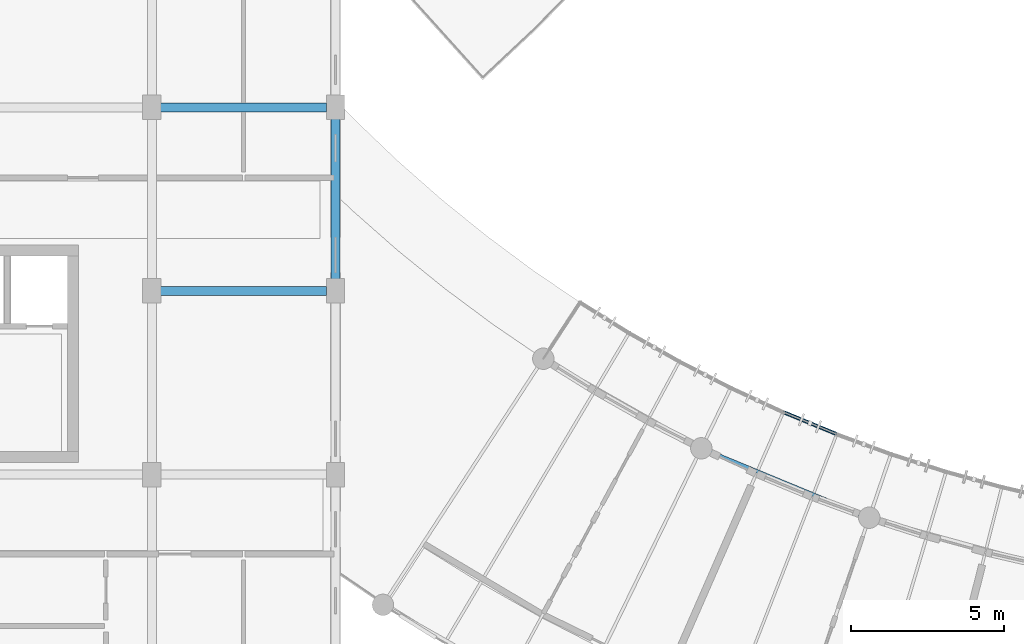
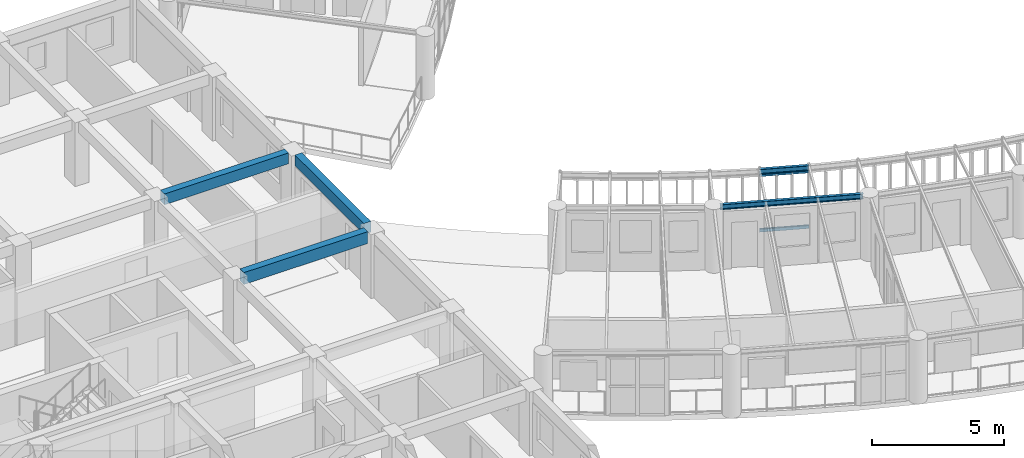
# One storey, part 19 of 137: 5 beams, 2 members.
"""IFC4 building model written with IfcOpenShell, lengths in metres."""

from ifc_helpers import new_model, si_unit, direction, frame, origin, origin_2d, place, context, subcontext, project, spatial, rectangle, hollow_rectangle, i_section, extrude, material, material_profile, profile_set, type_object, element, save


model = new_model("IFC4")

# Units and contexts
model_context = context("Model", 3, precision=1e-05, world=origin(), true_north=direction((0.0, 1.0)))
body_context = subcontext(model_context, "Body", "Model", "MODEL_VIEW")
ifc_project = project(units=[si_unit("LENGTHUNIT", "METRE"), si_unit("AREAUNIT", "SQUARE_METRE"), si_unit("VOLUMEUNIT", "CUBIC_METRE"), si_unit("PLANEANGLEUNIT", "RADIAN"), si_unit("MASSUNIT", "GRAM", prefix="KILO"), si_unit("POWERUNIT", "WATT"), si_unit("THERMODYNAMICTEMPERATUREUNIT", "KELVIN")], contexts=[model_context])

# Site, building, storey
site_placement = place(None, origin())
site = spatial("IfcSite", under=ifc_project, at=site_placement, CompositionType="ELEMENT")
building_placement = place(site_placement, origin())
building = spatial("IfcBuilding", under=site, at=building_placement, Name="Ruvembo Vaulted Housing Court", CompositionType="ELEMENT")
storey_placement = place(building_placement, frame((0.0, 0.0, 4.5)))
storey = spatial("IfcBuildingStorey", under=building, at=storey_placement, Name="L01", CompositionType="ELEMENT", Elevation=4.5)

# Beams
ifc_material_1 = material(Name="Concrete C35/45", Category="concrete")
ifc_material_profile_1 = material_profile(ifc_material_1, rectangle(XDim=0.300048828125, YDim=0.550048828125, at=origin_2d()), Name="RC 300x550")
ifc_profile_set_1 = profile_set([ifc_material_profile_1], Name="Concrete C35/45")
beam_type_1 = type_object("IfcBeamType", Name="BM-RC-300x550", PredefinedType="BEAM", material=ifc_profile_set_1)
beam_1_placement = place(storey_placement, frame((30.284912109375, 24.0, 2.669921875), z_axis=(1.0, 0.0, 0.0), x_axis=(0.0, 1.0, 0.0)))
element("IfcBeam", 1, at=beam_1_placement, inside=storey, type_object=beam_type_1, Name="L01 Grid Beam X #1173", PredefinedType="BEAM", context=body_context, shape_type="SweptSolid", body=[
    extrude(rectangle(XDim=0.300048828125, YDim=0.550048828125, at=origin_2d()), origin(), (0.0, 0.0, 1.0), 5.43017578125),
])
ifc_material_2 = material(Name="Steel S355J2", Category="steel")
ifc_material_profile_2 = material_profile(ifc_material_2, i_section(OverallWidth=0.1201171875, OverallDepth=0.239990234375, WebThickness=0.006103515625, FlangeThickness=0.009765625, FilletRadius=0.014892578125, at=origin_2d()), Name="IPE 240")
ifc_profile_set_2 = profile_set([ifc_material_profile_2], Name="Steel S355J2")
beam_type_2 = type_object("IfcBeamType", Name="BM-ST-IPE240", PredefinedType="BEAM", material=ifc_profile_set_2)
beam_2_placement = place(storey_placement, frame((48.1708984375, 18.77001953125, 2.822021484375), z_axis=(0.924179679045, -0.381958009264, 0.0), x_axis=(0.381958009264, 0.924179679045, 0.0)))
element("IfcBeam", 2, at=beam_2_placement, inside=storey, type_object=beam_type_2, Name="Scoop SC2 L01 Chord Girder F3", PredefinedType="BEAM", context=body_context, shape_type="SweptSolid", body=[
    extrude(i_section(OverallWidth=0.1201171875, OverallDepth=0.239990234375, WebThickness=0.006103515625, FlangeThickness=0.009765625, FilletRadius=0.014892578125, at=origin_2d()), origin(), (0.0, 0.0, 1.0), 5.4765625),
])
beam_3_placement = place(storey_placement, frame((50.637451171875, 20.042236328125, 2.820068359375), z_axis=(0.924155321549, -0.38201693896, 0.0), x_axis=(0.38201693896, 0.924155321549, 0.0)))
element("IfcBeam", 3, at=beam_3_placement, inside=storey, type_object=beam_type_2, Name="Scoop SC2 L01 Balcony Edge Spandrel 4", PredefinedType="BEAM", context=body_context, shape_type="SweptSolid", body=[
    extrude(i_section(OverallWidth=0.1201171875, OverallDepth=0.239990234375, WebThickness=0.006103515625, FlangeThickness=0.009765625, FilletRadius=0.014892578125, at=origin_2d()), origin(), (0.0, 0.0, 1.0), 1.88916015625),
])

# Members
ifc_material_profile_3 = material_profile(ifc_material_2, hollow_rectangle(XDim=0.06005859375, YDim=0.1201171875, WallThickness=0.0048828125, InnerFilletRadius=0.0048828125, OuterFilletRadius=0.010009765625, at=origin_2d()), Name="RHS 120x60x5")
ifc_profile_set_3 = profile_set([ifc_material_profile_3], Name="Steel S355J2")
member_type_1 = type_object("IfcMemberType", Name="MEM-CAR-RHS120", PredefinedType="CHORD", material=ifc_profile_set_3)
member_1_placement = place(storey_placement, frame((50.637451171875, 20.042236328125, 2.64306640625), z_axis=(0.924155321549, -0.38201693896, 0.0), x_axis=(0.38201693896, 0.924155321549, 0.0)))
element("IfcMember", 4, at=member_1_placement, inside=storey, type_object=member_type_1, Name="Scoop SC2 L01 Upper Louvre Carrier Rail 4", PredefinedType="CHORD", context=body_context, shape_type="SweptSolid", body=[
    extrude(hollow_rectangle(XDim=0.06005859375, YDim=0.1201171875, WallThickness=0.0048828125, InnerFilletRadius=0.0048828125, OuterFilletRadius=0.010009765625, at=origin_2d()), origin(), (0.0, 0.0, 1.0), 1.88916015625),
])
ifc_material_profile_4 = material_profile(ifc_material_2, hollow_rectangle(XDim=0.080078125, YDim=0.14990234375, WallThickness=0.00634765625, InnerFilletRadius=0.00634765625, OuterFilletRadius=0.0126953125, at=origin_2d()), Name="RHS 150x80x6.3")
ifc_profile_set_4 = profile_set([ifc_material_profile_4], Name="Steel S355J2")
member_type_2 = type_object("IfcMemberType", Name="MEM-CAR-RHS150", PredefinedType="CHORD", material=ifc_profile_set_4)
member_2_placement = place(storey_placement, frame((50.637451171875, 20.042236328125, 0.094970703125), z_axis=(0.924155321549, -0.38201693896, 0.0), x_axis=(0.38201693896, 0.924155321549, 0.0)))
element("IfcMember", 5, at=member_2_placement, inside=storey, type_object=member_type_2, Name="Scoop SC2 L01 Lower Louvre Carrier Rail 4", PredefinedType="CHORD", context=body_context, shape_type="SweptSolid", body=[
    extrude(hollow_rectangle(XDim=0.080078125, YDim=0.14990234375, WallThickness=0.00634765625, InnerFilletRadius=0.00634765625, OuterFilletRadius=0.0126953125, at=origin_2d()), origin(), (0.0, 0.0, 1.0), 1.88916015625),
])

# Beams
ifc_material_profile_5 = material_profile(ifc_material_1, rectangle(XDim=0.300048828125, YDim=0.5, at=origin_2d()), Name="RC 300x500")
ifc_profile_set_5 = profile_set([ifc_material_profile_5], Name="Concrete C35/45")
beam_type_3 = type_object("IfcBeamType", Name="SP-RC-300x500", PredefinedType="SPANDREL", material=ifc_profile_set_5)
beam_4_placement = place(storey_placement, frame((30.284912109375, 30.0, 2.695068359375), z_axis=(1.0, 0.0, 0.0), x_axis=(0.0, 1.0, 0.0)))
element("IfcBeam", 6, at=beam_4_placement, inside=storey, type_object=beam_type_3, Name="L01 Grid Beam X #1185", PredefinedType="SPANDREL", context=body_context, shape_type="SweptSolid", body=[
    extrude(rectangle(XDim=0.300048828125, YDim=0.5, at=origin_2d()), origin(), (0.0, 0.0, 1.0), 5.43017578125),
])
beam_5_placement = place(storey_placement, frame((36.0, 24.385009765625, 2.695068359375), z_axis=(0.0, 1.0, 0.0), x_axis=(-1.0, 0.0, 0.0)))
element("IfcBeam", 7, at=beam_5_placement, inside=storey, type_object=beam_type_3, Name="L01 Grid Beam Y #1340", PredefinedType="SPANDREL", context=body_context, shape_type="SweptSolid", body=[
    extrude(rectangle(XDim=0.300048828125, YDim=0.5, at=origin_2d()), origin(), (0.0, 0.0, 1.0), 5.22998046875),
])

save(model, "model.ifc")
